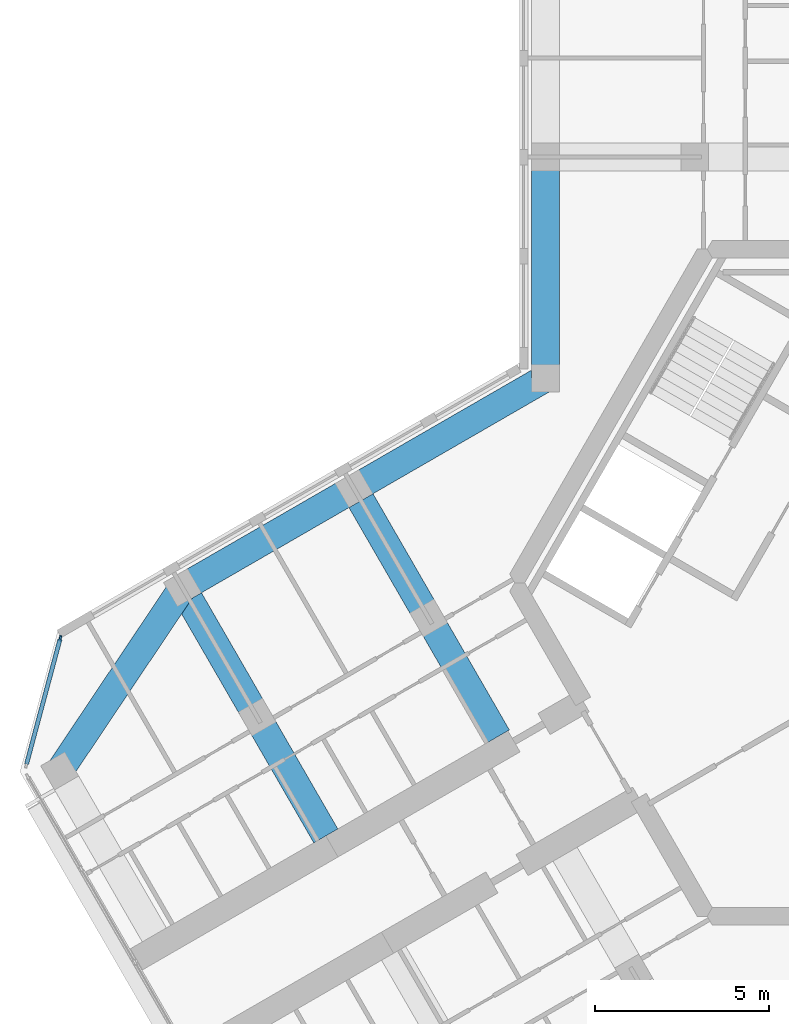
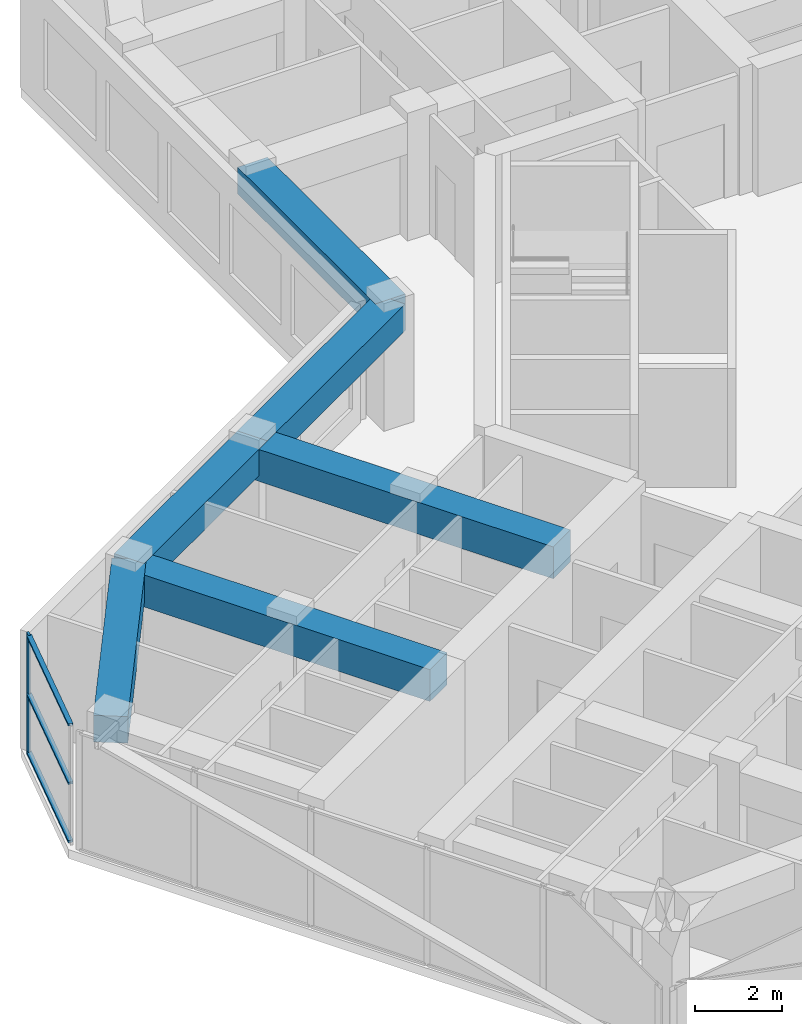
# One storey, part 3 of 14: 6 beams, 4 members, 1 element without a shape of its own.
"""IFC4 building model written with IfcOpenShell, lengths in metres."""

from ifc_helpers import new_model, si_unit, direction, frame, origin, origin_2d, place, context, subcontext, project, spatial, rectangle, extrude, material, material_profile, profile_set, type_object, element, aggregate, save


model = new_model("IFC4")

# Units and contexts
model_context = context("Model", 3, precision=1e-05, world=origin(), true_north=direction((0.0, 1.0)))
body_context = subcontext(model_context, "Body", "Model", "MODEL_VIEW")
ifc_project = project(units=[si_unit("LENGTHUNIT", "METRE"), si_unit("AREAUNIT", "SQUARE_METRE"), si_unit("VOLUMEUNIT", "CUBIC_METRE"), si_unit("PLANEANGLEUNIT", "RADIAN"), si_unit("MASSUNIT", "GRAM", prefix="KILO")], contexts=[model_context])

# Site, building, storey
site_placement = place(None, origin())
site = spatial("IfcSite", under=ifc_project, at=site_placement, CompositionType="ELEMENT")
building_placement = place(site_placement, origin())
building = spatial("IfcBuilding", under=site, at=building_placement, Name="Kosmar Iwan School Tower", CompositionType="ELEMENT")
storey_placement = place(building_placement, frame((0.0, 0.0, 289.0)))
storey = spatial("IfcBuildingStorey", under=building, at=storey_placement, Name="L73", CompositionType="ELEMENT", Elevation=289.0)

# Curtain wall, member
ifc_material_1 = material(Name="Dark glass in black aluminium frame", Category="aluminium")
curtain_wall_type = type_object("IfcCurtainWallType", Name="Chamfer curtain wall dark glass", PredefinedType="USERDEFINED", material=ifc_material_1)
curtain_wall_placement = place(storey_placement, origin())
curtain_wall = element("IfcCurtainWall", 1, at=curtain_wall_placement, inside=storey, type_object=curtain_wall_type, Name="Curtain wall L73-F12", ObjectType="FACETED CURTAIN WALL", PredefinedType="USERDEFINED")
ifc_material_2 = material(Name="Black anodised aluminium", Category="aluminium")
ifc_material_profile_1 = material_profile(ifc_material_2, rectangle(XDim=0.06005859375, YDim=0.159912109375, at=origin_2d()), Name="MULLION 60x160")
ifc_profile_set_1 = profile_set([ifc_material_profile_1], Name="Black anodised aluminium")
member_type_1 = type_object("IfcMemberType", Name="Mullion 60x160", PredefinedType="MULLION", material=ifc_profile_set_1)
member_1_placement = place(storey_placement, frame((-24.163818359375, -1.59814453125, 0.0), z_axis=(0.0, 0.0, 1.0), x_axis=(0.965925875495, -0.258818861462, 0.0)))
member_1 = element("IfcMember", 2, at=member_1_placement, type_object=member_type_1, Name="CW2 mullion 1", PredefinedType="MULLION", context=body_context, shape_type="SweptSolid", body=[
    extrude(rectangle(XDim=0.06005859375, YDim=0.159912109375, at=origin_2d()), origin(), (0.0, 0.0, 1.0), 3.35009765625),
])

# Beams
ifc_material_3 = material(Name="Concrete C50/60", Category="concrete")
ifc_material_profile_2 = material_profile(ifc_material_3, rectangle(XDim=0.800048828125, YDim=0.75, at=origin_2d()), Name="RC 800x750")
ifc_profile_set_2 = profile_set([ifc_material_profile_2], Name="Concrete C50/60")
beam_type_1 = type_object("IfcBeamType", Name="RC edge beam 800x750", PredefinedType="BEAM", material=ifc_profile_set_2)
beam_1_placement = place(storey_placement, frame((-10.199951171875, 5.888916015625, 2.97509765625), z_axis=(0.0, 1.0, 0.0), x_axis=(-1.0, 0.0, 0.0)))
element("IfcBeam", 3, at=beam_1_placement, inside=storey, type_object=beam_type_1, Name="Edge beam AL1", PredefinedType="BEAM", context=body_context, shape_type="SweptSolid", body=[
    extrude(rectangle(XDim=0.800048828125, YDim=0.75, at=origin_2d()), origin(), (0.0, 0.0, 1.0), 6.361083984375),
])
beam_2_placement = place(storey_placement, frame((-10.199951171875, 5.888916015625, 2.97509765625), z_axis=(-0.866030912664, -0.49999045822, 0.0), x_axis=(0.49999045822, -0.866030912664, 0.0)))
element("IfcBeam", 4, at=beam_2_placement, inside=storey, type_object=beam_type_1, Name="Edge beam BR1", PredefinedType="BEAM", context=body_context, shape_type="SweptSolid", body=[
    extrude(rectangle(XDim=0.800048828125, YDim=0.75, at=origin_2d()), origin(), (0.0, 0.0, 1.0), 6.36083984375),
])
beam_3_placement = place(storey_placement, frame((-15.708740234375, 2.70849609375, 2.97509765625), z_axis=(-0.866025820012, -0.499999279071, 0.0), x_axis=(0.499999279071, -0.866025820012, 0.0)))
element("IfcBeam", 5, at=beam_3_placement, inside=storey, type_object=beam_type_1, Name="Edge beam BR2", PredefinedType="BEAM", context=body_context, shape_type="SweptSolid", body=[
    extrude(rectangle(XDim=0.800048828125, YDim=0.75, at=origin_2d()), origin(), (0.0, 0.0, 1.0), 5.7001953125),
])
ifc_material_4 = material(Name="Concrete C50/60", Category="concrete")
ifc_material_profile_3 = material_profile(ifc_material_4, rectangle(XDim=0.800048828125, YDim=0.75, at=origin_2d()), Name="RC 800x750")
ifc_profile_set_3 = profile_set([ifc_material_profile_3], Name="Concrete C50/60")
beam_type_2 = type_object("IfcBeamType", Name="RC tip beam 800x750", PredefinedType="BEAM", material=ifc_profile_set_3)
beam_4_placement = place(storey_placement, frame((-20.645263671875, -0.1416015625, 2.97509765625), z_axis=(-0.556827604145, -0.83062808721, 0.0), x_axis=(0.83062808721, -0.556827604145, 0.0)))
element("IfcBeam", 6, at=beam_4_placement, inside=storey, type_object=beam_type_2, Name="Tip beam BR", PredefinedType="BEAM", context=body_context, shape_type="SweptSolid", body=[
    extrude(rectangle(XDim=0.800048828125, YDim=0.75, at=origin_2d()), origin(), (0.0, 0.0, 1.0), 6.3505859375),
])
ifc_material_5 = material(Name="Concrete C50/60", Category="concrete")
ifc_material_profile_4 = material_profile(ifc_material_5, rectangle(XDim=0.800048828125, YDim=0.89990234375, at=origin_2d()), Name="RC 800x900")
ifc_profile_set_4 = profile_set([ifc_material_profile_4], Name="Concrete C50/60")
beam_type_3 = type_object("IfcBeamType", Name="RC transverse beam 800x900", PredefinedType="BEAM", material=ifc_profile_set_4)
beam_5_placement = place(storey_placement, frame((-15.708740234375, 2.70849609375, 2.89990234375), z_axis=(0.499996545922, -0.866027397988, 0.0), x_axis=(0.866027397988, 0.499996545922, 0.0)))
element("IfcBeam", 7, at=beam_5_placement, inside=storey, type_object=beam_type_3, Name="Transverse beam BR1", PredefinedType="BEAM", context=body_context, shape_type="SweptSolid", body=[
    extrude(rectangle(XDim=0.800048828125, YDim=0.89990234375, at=origin_2d()), origin(), (0.0, 0.0, 1.0), 8.25),
])
beam_6_placement = place(storey_placement, frame((-20.645263671875, -0.1416015625, 2.89990234375), z_axis=(0.500009360108, -0.866019999656, 0.0), x_axis=(0.866019999656, 0.500009360108, 0.0)))
element("IfcBeam", 8, at=beam_6_placement, inside=storey, type_object=beam_type_3, Name="Transverse beam BR2", PredefinedType="BEAM", context=body_context, shape_type="SweptSolid", body=[
    extrude(rectangle(XDim=0.800048828125, YDim=0.89990234375, at=origin_2d()), origin(), (0.0, 0.0, 1.0), 8.249755859375),
])

# Member
ifc_material_6 = material(Name="Black anodised aluminium", Category="aluminium")
ifc_material_profile_5 = material_profile(ifc_material_6, rectangle(XDim=0.1201171875, YDim=0.06005859375, at=origin_2d()), Name="TRANSOM 60x120")
ifc_profile_set_5 = profile_set([ifc_material_profile_5], Name="Black anodised aluminium")
member_type_2 = type_object("IfcMemberType", Name="Transom 60x120", PredefinedType="USERDEFINED", material=ifc_profile_set_5)
member_2_placement = place(storey_placement, frame((-24.17138671875, -1.627197265625, 0.030029296875), z_axis=(-0.258843273983, -0.965919333854, 0.0), x_axis=(0.965919333854, -0.258843273983, 0.0)))
member_2 = element("IfcMember", 9, at=member_2_placement, type_object=member_type_2, Name="CW2 transom 1.1", ObjectType="TRANSOM", PredefinedType="USERDEFINED", context=body_context, shape_type="SweptSolid", body=[
    extrude(rectangle(XDim=0.1201171875, YDim=0.06005859375, at=origin_2d()), origin(), (0.0, 0.0, 1.0), 3.718994140625),
])

member_3_placement = place(storey_placement, frame((-24.17138671875, -1.627197265625, 1.675048828125), z_axis=(-0.258843273983, -0.965919333854, 0.0), x_axis=(0.965919333854, -0.258843273983, 0.0)))
member_3 = element("IfcMember", 10, at=member_3_placement, type_object=member_type_2, Name="CW2 transom 1.2", ObjectType="TRANSOM", PredefinedType="USERDEFINED", context=body_context, shape_type="SweptSolid", body=[
    extrude(rectangle(XDim=0.1201171875, YDim=0.06005859375, at=origin_2d()), origin(), (0.0, 0.0, 1.0), 3.718994140625),
])

member_4_placement = place(storey_placement, frame((-24.17138671875, -1.627197265625, 3.320068359375), z_axis=(-0.258843273983, -0.965919333854, 0.0), x_axis=(0.965919333854, -0.258843273983, 0.0)))
member_4 = element("IfcMember", 11, at=member_4_placement, type_object=member_type_2, Name="CW2 transom 1.3", ObjectType="TRANSOM", PredefinedType="USERDEFINED", context=body_context, shape_type="SweptSolid", body=[
    extrude(rectangle(XDim=0.1201171875, YDim=0.06005859375, at=origin_2d()), origin(), (0.0, 0.0, 1.0), 3.718994140625),
])

aggregate(curtain_wall, [member_1, member_2, member_3, member_4])

save(model, "model.ifc")
